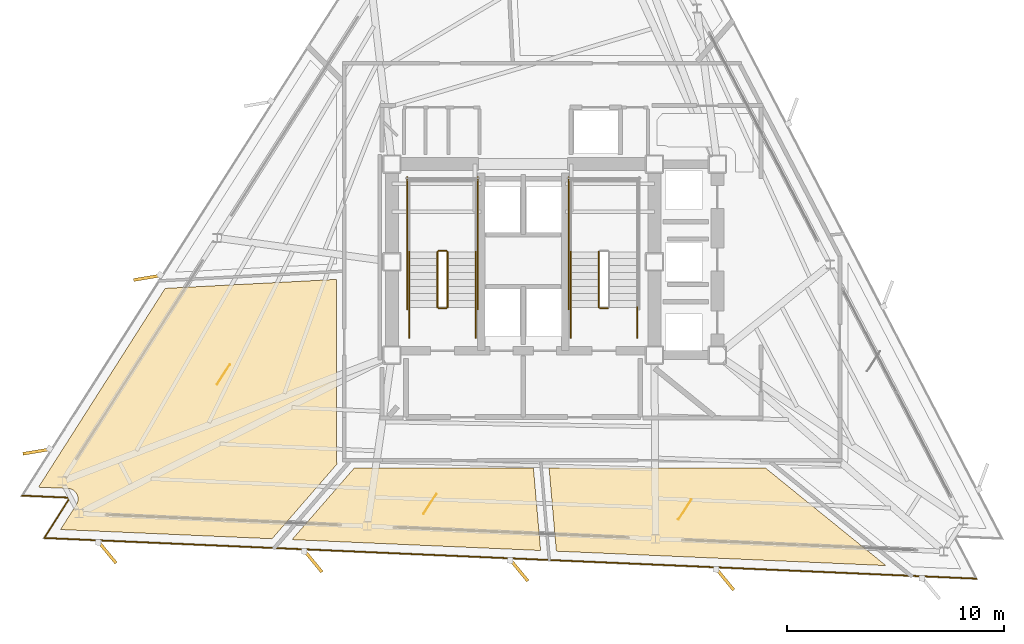
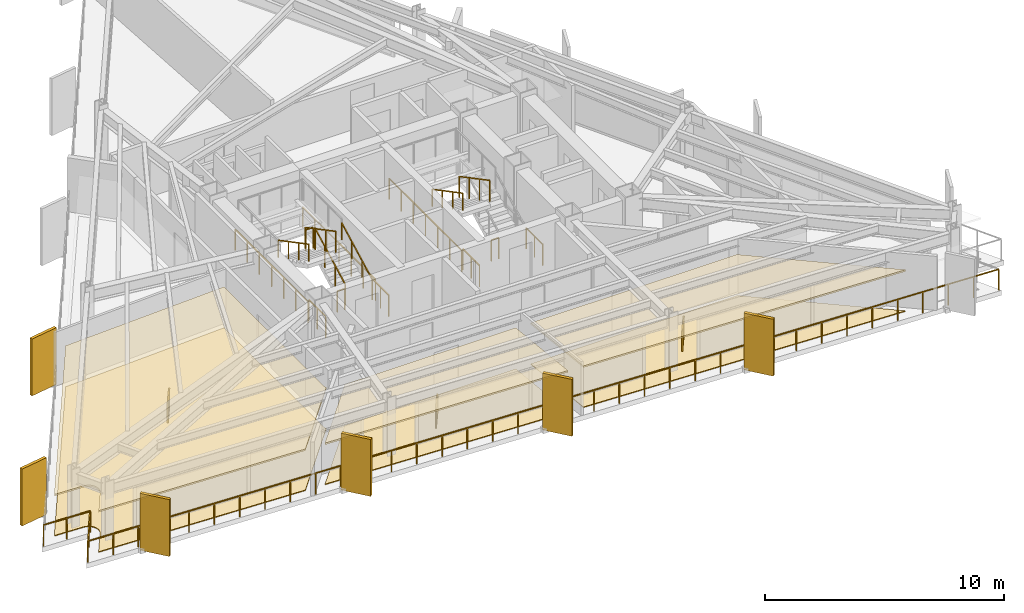
# One storey, part 10 of 12: 17 railings, 9 coverings, 6 shading devices.
"""IFC4 building model written with IfcOpenShell, lengths in metres."""

from ifc_helpers import new_model, si_unit, direction, frame, origin, origin_2d, place, context, subcontext, project, spatial, polyline, rectangle, outline, extrude, material, layer, layer_set, type_object, element, save


model = new_model("IFC4")

# Units and contexts
model_context = context("Model", 3, precision=1e-05, world=origin(), true_north=direction((0.0, 1.0)))
body_context = subcontext(model_context, "Body", "Model", "MODEL_VIEW")
ifc_project = project(units=[si_unit("LENGTHUNIT", "METRE"), si_unit("AREAUNIT", "SQUARE_METRE"), si_unit("VOLUMEUNIT", "CUBIC_METRE"), si_unit("PLANEANGLEUNIT", "RADIAN"), si_unit("MASSUNIT", "GRAM", prefix="KILO")], contexts=[model_context])

# Site, building, storey
site_placement = place(None, origin())
site = spatial("IfcSite", under=ifc_project, at=site_placement, CompositionType="ELEMENT")
building_placement = place(site_placement, origin())
building = spatial("IfcBuilding", under=site, at=building_placement, Name="Rocaltana Carrier Exchange", CompositionType="ELEMENT")
storey_placement = place(building_placement, frame((0.0, 0.0, 128.9599609375)))
storey = spatial("IfcBuildingStorey", under=building, at=storey_placement, Name="L40", CompositionType="ELEMENT", Elevation=128.9599609375)

# Coverings
ifc_material_1 = material(Name="Honed Bogota Sandstone Tile", Category="masonry")
ifc_layer_1 = layer(ifc_material_1, 0.0400390625)
ifc_layer_set_1 = layer_set([ifc_layer_1], Name="Honed Bogota Sandstone Tile")
covering_type_1 = type_object("IfcCoveringType", Name="Honed Stone Lobby Flooring 40", PredefinedType="FLOORING", material=ifc_layer_set_1)
covering_1_placement = place(storey_placement, origin())
element("IfcCovering", 1, at=covering_1_placement, inside=storey, type_object=covering_type_1, Name="L40 Carrier Peering Suite Finish Floor", PredefinedType="FLOORING", context=body_context, shape_type="SweptSolid", body=[
    extrude(outline(polyline([(-20.592041015625, -11.18798828125), (-20.584716796875, -11.176025390625), (-20.574951171875, -11.15869140625), (-20.562255859375, -11.1337890625), (-20.55419921875, -11.11572265625), (-20.544189453125, -11.089599609375), (-20.5380859375, -11.07080078125), (-20.530517578125, -11.043701171875), (-20.5263671875, -11.0244140625), (-20.521484375, -10.996826171875), (-20.519287109375, -10.97705078125), (-20.517333984375, -10.94921875), (-20.516845703125, -10.92919921875), (-20.517822265625, -10.9013671875), (-20.519287109375, -10.88134765625), (-20.523193359375, -10.853759765625), (-20.526611328125, -10.833984375), (-20.532958984375, -10.806884765625), (-20.53857421875, -10.787841796875), (-20.547607421875, -10.761474609375), (-20.554931640625, -10.742919921875), (-20.566650390625, -10.717529296875), (-20.575927734375, -10.69970703125), (-20.590087890625, -10.67578125), (-20.600830078125, -10.6591796875), (-20.6171875, -10.636474609375), (-20.6298828125, -10.62109375), (-20.6484375, -10.60009765625), (-20.66259765625, -10.5859375), (-20.68310546875, -10.567138671875), (-20.698486328125, -10.554443359375), (-20.720703125, -10.53759765625), (-20.7373046875, -10.526611328125), (-20.76123046875, -10.51220703125), (-20.77880859375, -10.502685546875), (-20.803955078125, -10.49072265625), (-20.822509765625, -10.483154296875), (-20.8486328125, -10.473876953125), (-20.867919921875, -10.468017578125), (-20.89501953125, -10.461181640625), (-20.91455078125, -10.45751953125), (-20.942138671875, -10.45361328125), (-20.9619140625, -10.45166015625), (-20.975830078125, -10.45068359375), (-22.34326171875, -10.39111328125), (-16.50390625, -1.225341796875), (-8.610107421875, -0.811767578125), (-8.610107421875, -9.14990234375), (-8.609619140625, -9.163818359375), (-8.609375, -9.171630859375), (-8.606689453125, -9.198974609375), (-8.60546875, -9.206787109375), (-8.60009765625, -9.233642578125), (-8.59814453125, -9.2412109375), (-8.590087890625, -9.267578125), (-8.58740234375, -9.27490234375), (-8.576904296875, -9.30029296875), (-8.57373046875, -9.307373046875), (-8.5712890625, -9.3115234375), (-11.576171875, -12.76806640625), (-21.327392578125, -12.34228515625), (-20.592041015625, -11.18798828125)])), origin(), (0.0, 0.0, 1.0), 0.0400390625),
])
covering_2_placement = place(storey_placement, origin())
element("IfcCovering", 2, at=covering_2_placement, inside=storey, type_object=covering_type_1, Name="L40 Carrier Peering Suite Finish Floor", PredefinedType="FLOORING", context=body_context, shape_type="SweptSolid", body=[
    extrude(outline(polyline([(-10.656982421875, -12.808349609375), (-7.789794921875, -9.510009765625), (0.470703125, -9.510009765625), (0.802978515625, -13.30859375), (-10.656982421875, -12.808349609375)])), origin(), (0.0, 0.0, 1.0), 0.0400390625),
])
covering_3_placement = place(storey_placement, origin())
element("IfcCovering", 3, at=covering_3_placement, inside=storey, type_object=covering_type_1, Name="L40 Cloud Architecture Office Finish Floor", PredefinedType="FLOORING", context=body_context, shape_type="SweptSolid", body=[
    extrude(outline(polyline([(1.528564453125, -13.34033203125), (1.193359375, -9.510009765625), (11.171875, -9.510009765625), (16.720947265625, -14.003662109375), (1.528564453125, -13.34033203125)])), origin(), (0.0, 0.0, 1.0), 0.0400390625),
])
ifc_material_2 = material(Name="Anodised Aluminium 6063-T6", Category="aluminium")
ifc_layer_2 = layer(ifc_material_2, 0.0849609375)
ifc_layer_set_2 = layer_set([ifc_layer_2], Name="Anodised Aluminium 6063-T6")
covering_type_2 = type_object("IfcCoveringType", Name="Linear Baffle Acoustic Ceiling 85", PredefinedType="CEILING", material=ifc_layer_set_2)
covering_4_placement = place(storey_placement, frame((0.0, 0.0, 2.052978515625)))
element("IfcCovering", 4, at=covering_4_placement, inside=storey, type_object=covering_type_2, Name="L40 Carrier Peering Suite Acoustic Ceiling", PredefinedType="CEILING", context=body_context, shape_type="SweptSolid", body=[
    extrude(outline(polyline([(-20.592041015625, -11.18798828125), (-20.584716796875, -11.176025390625), (-20.574951171875, -11.15869140625), (-20.562255859375, -11.1337890625), (-20.55419921875, -11.11572265625), (-20.544189453125, -11.089599609375), (-20.5380859375, -11.07080078125), (-20.530517578125, -11.043701171875), (-20.5263671875, -11.0244140625), (-20.521484375, -10.996826171875), (-20.519287109375, -10.97705078125), (-20.517333984375, -10.94921875), (-20.516845703125, -10.92919921875), (-20.517822265625, -10.9013671875), (-20.519287109375, -10.88134765625), (-20.523193359375, -10.853759765625), (-20.526611328125, -10.833984375), (-20.532958984375, -10.806884765625), (-20.53857421875, -10.787841796875), (-20.547607421875, -10.761474609375), (-20.554931640625, -10.742919921875), (-20.566650390625, -10.717529296875), (-20.575927734375, -10.69970703125), (-20.590087890625, -10.67578125), (-20.600830078125, -10.6591796875), (-20.6171875, -10.636474609375), (-20.6298828125, -10.62109375), (-20.6484375, -10.60009765625), (-20.66259765625, -10.5859375), (-20.68310546875, -10.567138671875), (-20.698486328125, -10.554443359375), (-20.720703125, -10.53759765625), (-20.7373046875, -10.526611328125), (-20.76123046875, -10.51220703125), (-20.77880859375, -10.502685546875), (-20.803955078125, -10.49072265625), (-20.822509765625, -10.483154296875), (-20.8486328125, -10.473876953125), (-20.867919921875, -10.468017578125), (-20.89501953125, -10.461181640625), (-20.91455078125, -10.45751953125), (-20.942138671875, -10.45361328125), (-20.9619140625, -10.45166015625), (-20.975830078125, -10.45068359375), (-22.34326171875, -10.39111328125), (-16.50390625, -1.225341796875), (-8.610107421875, -0.811767578125), (-8.610107421875, -9.14990234375), (-8.609619140625, -9.163818359375), (-8.609375, -9.171630859375), (-8.606689453125, -9.198974609375), (-8.60546875, -9.206787109375), (-8.60009765625, -9.233642578125), (-8.59814453125, -9.2412109375), (-8.590087890625, -9.267578125), (-8.58740234375, -9.27490234375), (-8.576904296875, -9.30029296875), (-8.57373046875, -9.307373046875), (-8.5712890625, -9.3115234375), (-11.576171875, -12.76806640625), (-21.327392578125, -12.34228515625), (-20.592041015625, -11.18798828125)])), origin(), (0.0, 0.0, 1.0), 0.0849609375),
])
covering_5_placement = place(storey_placement, frame((0.0, 0.0, 2.052978515625)))
element("IfcCovering", 5, at=covering_5_placement, inside=storey, type_object=covering_type_2, Name="L40 Carrier Peering Suite Acoustic Ceiling", PredefinedType="CEILING", context=body_context, shape_type="SweptSolid", body=[
    extrude(outline(polyline([(-10.656982421875, -12.808349609375), (-7.789794921875, -9.510009765625), (0.470703125, -9.510009765625), (0.802978515625, -13.30859375), (-10.656982421875, -12.808349609375)])), origin(), (0.0, 0.0, 1.0), 0.0849609375),
])
covering_6_placement = place(storey_placement, frame((0.0, 0.0, 2.052978515625)))
element("IfcCovering", 6, at=covering_6_placement, inside=storey, type_object=covering_type_2, Name="L40 Cloud Architecture Office Acoustic Ceiling", PredefinedType="CEILING", context=body_context, shape_type="SweptSolid", body=[
    extrude(outline(polyline([(1.528564453125, -13.34033203125), (1.193359375, -9.510009765625), (11.171875, -9.510009765625), (16.720947265625, -14.003662109375), (1.528564453125, -13.34033203125)])), origin(), (0.0, 0.0, 1.0), 0.0849609375),
])

# Railings
ifc_material_3 = material(Name="Brushed Architectural Stainless Tube", Category="steel")
ifc_layer_3 = layer(ifc_material_3, 0.048095703125)
ifc_layer_set_3 = layer_set([ifc_layer_3], Name="Brushed Architectural Stainless Tube")
railing_type_1 = type_object("IfcRailingType", Name="Stair Wall Handrail 920", PredefinedType="HANDRAIL", material=ifc_layer_set_3)
railing_1_placement = place(storey_placement, frame((-2.18994140625, -2.10009765625, 0.1689453125)))
element("IfcRailing", 7, at=railing_1_placement, inside=storey, type_object=railing_type_1, Name="L40 ST-1 stair handrail 1", PredefinedType="HANDRAIL", context=body_context, shape_type="SweptSolid", body=[
    extrude(rectangle(XDim=0.048095703125, YDim=0.048095703125, at=origin_2d()), frame((0.0, 0.0, 0.8759765625), z_axis=(0.0, 0.884394423565, 0.466740295633), x_axis=(-1.0, 0.0, 0.0)), (0.0, 0.0, 1.0), 2.894775390625),
    extrude(rectangle(XDim=0.0419921875, YDim=0.0419921875, at=origin_2d()), origin(), (0.0, 0.0, 1.0), 0.851806640625),
    extrude(rectangle(XDim=0.0419921875, YDim=0.0419921875, at=origin_2d()), frame((0.0, 0.853271484375, 0.450439453125)), (0.0, 0.0, 1.0), 0.851806640625),
    extrude(rectangle(XDim=0.0419921875, YDim=0.0419921875, at=origin_2d()), frame((0.0, 1.706787109375, 0.900634765625)), (0.0, 0.0, 1.0), 0.851806640625),
    extrude(rectangle(XDim=0.0419921875, YDim=0.0419921875, at=origin_2d()), frame((0.0, 2.56005859375, 1.35107421875)), (0.0, 0.0, 1.0), 0.851806640625),
])
for number, where, name in (
    (8, (-5.25, 0.4599609375, 1.68896484375), "L40 ST-1 stair handrail 2"),
    (9, (2.18994140625, 0.4599609375, 1.68896484375), "L40 ST-2 stair handrail 2"),
):
    element("IfcRailing", number, at=place(storey_placement, frame(where)), inside=storey, type_object=railing_type_1, Name=name, PredefinedType="HANDRAIL", context=body_context, shape_type="SweptSolid", body=[
        extrude(rectangle(XDim=0.048095703125, YDim=0.048095703125, at=origin_2d()), frame((0.0, 0.0, 0.8759765625), z_axis=(0.0, -0.884394423565, 0.466740295633), x_axis=(1.0, 0.0, 0.0)), (0.0, 0.0, 1.0), 2.894775390625),
        extrude(rectangle(XDim=0.0419921875, YDim=0.0419921875, at=origin_2d()), origin(), (0.0, 0.0, 1.0), 0.851806640625),
        extrude(rectangle(XDim=0.0419921875, YDim=0.0419921875, at=origin_2d()), frame((0.0, -0.853271484375, 0.450439453125)), (0.0, 0.0, 1.0), 0.851806640625),
        extrude(rectangle(XDim=0.0419921875, YDim=0.0419921875, at=origin_2d()), frame((0.0, -1.706787109375, 0.900634765625)), (0.0, 0.0, 1.0), 0.851806640625),
        extrude(rectangle(XDim=0.0419921875, YDim=0.0419921875, at=origin_2d()), frame((0.0, -2.56005859375, 1.35107421875)), (0.0, 0.0, 1.0), 0.851806640625),
    ])
ifc_material_4 = material(Name="Powder-Coated Aluminium 6063-T6", Category="aluminium")
ifc_layer_4 = layer(ifc_material_4, 0.048095703125)
ifc_layer_set_4 = layer_set([ifc_layer_4], Name="Powder-Coated Aluminium 6063-T6")
railing_type_2 = type_object("IfcRailingType", Name="Stair Well Guardrail 1100", PredefinedType="GUARDRAIL", material=ifc_layer_set_4)
railing_2_placement = place(storey_placement, frame((-3.489990234375, -2.10009765625, 0.1689453125)))
element("IfcRailing", 10, at=railing_2_placement, inside=storey, type_object=railing_type_2, Name="L40 ST-1 stair guard 1", PredefinedType="GUARDRAIL", context=body_context, shape_type="SweptSolid", body=[
    extrude(rectangle(XDim=0.048095703125, YDim=0.048095703125, at=origin_2d()), frame((0.0, 0.0, 1.076171875), z_axis=(0.0, 0.884394423565, 0.466740295633), x_axis=(-1.0, 0.0, 0.0)), (0.0, 0.0, 1.0), 2.894775390625),
    extrude(rectangle(XDim=0.0419921875, YDim=0.0419921875, at=origin_2d()), origin(), (0.0, 0.0, 1.0), 1.052001953125),
    extrude(rectangle(XDim=0.0419921875, YDim=0.0419921875, at=origin_2d()), frame((0.0, 0.853271484375, 0.450439453125)), (0.0, 0.0, 1.0), 1.052001953125),
    extrude(rectangle(XDim=0.0419921875, YDim=0.0419921875, at=origin_2d()), frame((0.0, 1.706787109375, 0.900634765625)), (0.0, 0.0, 1.0), 1.052001953125),
    extrude(rectangle(XDim=0.0419921875, YDim=0.0419921875, at=origin_2d()), frame((0.0, 2.56005859375, 1.35107421875)), (0.0, 0.0, 1.0), 1.052001953125),
])
railing_3_placement = place(storey_placement, frame((-3.5400390625, 0.510009765625, 1.52001953125)))
element("IfcRailing", 11, at=railing_3_placement, inside=storey, type_object=railing_type_2, Name="L40 ST-1 stair guard 2", PredefinedType="GUARDRAIL", context=body_context, shape_type="SweptSolid", body=[
    extrude(rectangle(XDim=0.048095703125, YDim=0.048095703125, at=origin_2d()), frame((0.0, 0.0, 1.076171875), z_axis=(-1.0, 0.0, 0.0), x_axis=(0.0, -1.0, 0.0)), (0.0, 0.0, 1.0), 0.35986328125),
    extrude(rectangle(XDim=0.0419921875, YDim=0.0419921875, at=origin_2d()), origin(), (0.0, 0.0, 1.0), 1.052001953125),
    extrude(rectangle(XDim=0.0419921875, YDim=0.0419921875, at=origin_2d()), frame((-0.35986328125, 0.0, 0.0)), (0.0, 0.0, 1.0), 1.052001953125),
])
railing_4_placement = place(storey_placement, frame((-3.949951171875, 0.4599609375, 1.68896484375)))
element("IfcRailing", 12, at=railing_4_placement, inside=storey, type_object=railing_type_2, Name="L40 ST-1 stair guard 6", PredefinedType="GUARDRAIL", context=body_context, shape_type="SweptSolid", body=[
    extrude(rectangle(XDim=0.048095703125, YDim=0.048095703125, at=origin_2d()), frame((0.0, 0.0, 1.076171875), z_axis=(0.0, -0.884394423565, 0.466740295633), x_axis=(1.0, 0.0, 0.0)), (0.0, 0.0, 1.0), 2.894775390625),
    extrude(rectangle(XDim=0.0419921875, YDim=0.0419921875, at=origin_2d()), origin(), (0.0, 0.0, 1.0), 1.052001953125),
    extrude(rectangle(XDim=0.0419921875, YDim=0.0419921875, at=origin_2d()), frame((0.0, -0.853271484375, 0.450439453125)), (0.0, 0.0, 1.0), 1.052001953125),
    extrude(rectangle(XDim=0.0419921875, YDim=0.0419921875, at=origin_2d()), frame((0.0, -1.706787109375, 0.900634765625)), (0.0, 0.0, 1.0), 1.052001953125),
    extrude(rectangle(XDim=0.0419921875, YDim=0.0419921875, at=origin_2d()), frame((0.0, -2.56005859375, 1.35107421875)), (0.0, 0.0, 1.0), 1.052001953125),
])
railing_5_placement = place(storey_placement, frame((-3.5400390625, -2.14990234375, 0.0)))
element("IfcRailing", 13, at=railing_5_placement, inside=storey, type_object=railing_type_2, Name="L40 ST-1 stair guard 7", PredefinedType="GUARDRAIL", context=body_context, shape_type="SweptSolid", body=[
    extrude(rectangle(XDim=0.048095703125, YDim=0.048095703125, at=origin_2d()), frame((0.0, 0.0, 1.076171875), z_axis=(-1.0, 0.0, 0.0), x_axis=(0.0, -1.0, 0.0)), (0.0, 0.0, 1.0), 0.35986328125),
    extrude(rectangle(XDim=0.0419921875, YDim=0.0419921875, at=origin_2d()), origin(), (0.0, 0.0, 1.0), 1.052001953125),
    extrude(rectangle(XDim=0.0419921875, YDim=0.0419921875, at=origin_2d()), frame((-0.35986328125, 0.0, 0.0)), (0.0, 0.0, 1.0), 1.052001953125),
])
for number, where, name in (
    (14, (-2.18994140625, -3.5, 0.0), "L40 ST-1 stair guard 8"),
    (15, (-5.25, -3.5, 0.0), "L40 ST-1 stair guard 9"),
):
    element("IfcRailing", number, at=place(storey_placement, frame(where)), inside=storey, type_object=railing_type_2, Name=name, PredefinedType="GUARDRAIL", context=body_context, shape_type="SweptSolid", body=[
        extrude(rectangle(XDim=0.048095703125, YDim=0.048095703125, at=origin_2d()), frame((0.0, 0.0, 1.076171875), z_axis=(0.0, 1.0, 0.0), x_axis=(-1.0, 0.0, 0.0)), (0.0, 0.0, 1.0), 1.39990234375),
        extrude(rectangle(XDim=0.0419921875, YDim=0.0419921875, at=origin_2d()), origin(), (0.0, 0.0, 1.0), 1.052001953125),
        extrude(rectangle(XDim=0.0419921875, YDim=0.0419921875, at=origin_2d()), frame((0.0, 0.699951171875, 0.0)), (0.0, 0.0, 1.0), 1.052001953125),
        extrude(rectangle(XDim=0.0419921875, YDim=0.0419921875, at=origin_2d()), frame((0.0, 1.39990234375, 0.0)), (0.0, 0.0, 1.0), 1.052001953125),
    ])
for number, where, name in (
    (16, (-2.090087890625, -2.199951171875, 0.0), "L40 ST-1 stair guard 10"),
    (17, (-5.35009765625, -2.199951171875, 0.0), "L40 ST-1 stair guard 11"),
):
    element("IfcRailing", number, at=place(storey_placement, frame(where)), inside=storey, type_object=railing_type_2, Name=name, PredefinedType="GUARDRAIL", context=body_context, shape_type="SweptSolid", body=[
        extrude(rectangle(XDim=0.048095703125, YDim=0.048095703125, at=origin_2d()), frame((0.0, 0.0, 1.076171875), z_axis=(0.0, 1.0, 0.0), x_axis=(-1.0, 0.0, 0.0)), (0.0, 0.0, 1.0), 6.099853515625),
        extrude(rectangle(XDim=0.0419921875, YDim=0.0419921875, at=origin_2d()), origin(), (0.0, 0.0, 1.0), 1.052001953125),
        extrude(rectangle(XDim=0.0419921875, YDim=0.0419921875, at=origin_2d()), frame((0.0, 1.0166015625, 0.0)), (0.0, 0.0, 1.0), 1.052001953125),
        extrude(rectangle(XDim=0.0419921875, YDim=0.0419921875, at=origin_2d()), frame((0.0, 2.033203125, 0.0)), (0.0, 0.0, 1.0), 1.052001953125),
        extrude(rectangle(XDim=0.0419921875, YDim=0.0419921875, at=origin_2d()), frame((0.0, 3.0498046875, 0.0)), (0.0, 0.0, 1.0), 1.052001953125),
        extrude(rectangle(XDim=0.0419921875, YDim=0.0419921875, at=origin_2d()), frame((0.0, 4.066650390625, 0.0)), (0.0, 0.0, 1.0), 1.052001953125),
        extrude(rectangle(XDim=0.0419921875, YDim=0.0419921875, at=origin_2d()), frame((0.0, 5.083251953125, 0.0)), (0.0, 0.0, 1.0), 1.052001953125),
        extrude(rectangle(XDim=0.0419921875, YDim=0.0419921875, at=origin_2d()), frame((0.0, 6.099853515625, 0.0)), (0.0, 0.0, 1.0), 1.052001953125),
    ])
railing_6_placement = place(storey_placement, frame((3.489990234375, 0.4599609375, 1.68896484375)))
element("IfcRailing", 18, at=railing_6_placement, inside=storey, type_object=railing_type_2, Name="L40 ST-2 stair guard 6", PredefinedType="GUARDRAIL", context=body_context, shape_type="SweptSolid", body=[
    extrude(rectangle(XDim=0.048095703125, YDim=0.048095703125, at=origin_2d()), frame((0.0, 0.0, 1.076171875), z_axis=(0.0, -0.884394423565, 0.466740295633), x_axis=(1.0, 0.0, 0.0)), (0.0, 0.0, 1.0), 2.894775390625),
    extrude(rectangle(XDim=0.0419921875, YDim=0.0419921875, at=origin_2d()), origin(), (0.0, 0.0, 1.0), 1.052001953125),
    extrude(rectangle(XDim=0.0419921875, YDim=0.0419921875, at=origin_2d()), frame((0.0, -0.853271484375, 0.450439453125)), (0.0, 0.0, 1.0), 1.052001953125),
    extrude(rectangle(XDim=0.0419921875, YDim=0.0419921875, at=origin_2d()), frame((0.0, -1.706787109375, 0.900634765625)), (0.0, 0.0, 1.0), 1.052001953125),
    extrude(rectangle(XDim=0.0419921875, YDim=0.0419921875, at=origin_2d()), frame((0.0, -2.56005859375, 1.35107421875)), (0.0, 0.0, 1.0), 1.052001953125),
])
railing_7_placement = place(storey_placement, frame((3.89990234375, -2.14990234375, 0.0)))
element("IfcRailing", 19, at=railing_7_placement, inside=storey, type_object=railing_type_2, Name="L40 ST-2 stair guard 7", PredefinedType="GUARDRAIL", context=body_context, shape_type="SweptSolid", body=[
    extrude(rectangle(XDim=0.048095703125, YDim=0.048095703125, at=origin_2d()), frame((0.0, 0.0, 1.076171875), z_axis=(-1.0, 0.0, 0.0), x_axis=(0.0, -1.0, 0.0)), (0.0, 0.0, 1.0), 0.35986328125),
    extrude(rectangle(XDim=0.0419921875, YDim=0.0419921875, at=origin_2d()), origin(), (0.0, 0.0, 1.0), 1.052001953125),
    extrude(rectangle(XDim=0.0419921875, YDim=0.0419921875, at=origin_2d()), frame((-0.35986328125, 0.0, 0.0)), (0.0, 0.0, 1.0), 1.052001953125),
])
for number, where, name in (
    (20, (5.25, -3.5, 0.0), "L40 ST-2 stair guard 8"),
    (21, (2.18994140625, -3.5, 0.0), "L40 ST-2 stair guard 9"),
):
    element("IfcRailing", number, at=place(storey_placement, frame(where)), inside=storey, type_object=railing_type_2, Name=name, PredefinedType="GUARDRAIL", context=body_context, shape_type="SweptSolid", body=[
        extrude(rectangle(XDim=0.048095703125, YDim=0.048095703125, at=origin_2d()), frame((0.0, 0.0, 1.076171875), z_axis=(0.0, 1.0, 0.0), x_axis=(-1.0, 0.0, 0.0)), (0.0, 0.0, 1.0), 1.39990234375),
        extrude(rectangle(XDim=0.0419921875, YDim=0.0419921875, at=origin_2d()), origin(), (0.0, 0.0, 1.0), 1.052001953125),
        extrude(rectangle(XDim=0.0419921875, YDim=0.0419921875, at=origin_2d()), frame((0.0, 0.699951171875, 0.0)), (0.0, 0.0, 1.0), 1.052001953125),
        extrude(rectangle(XDim=0.0419921875, YDim=0.0419921875, at=origin_2d()), frame((0.0, 1.39990234375, 0.0)), (0.0, 0.0, 1.0), 1.052001953125),
    ])
railing_8_placement = place(storey_placement, frame((2.090087890625, -2.199951171875, 0.0)))
element("IfcRailing", 22, at=railing_8_placement, inside=storey, type_object=railing_type_2, Name="L40 ST-2 stair guard 11", PredefinedType="GUARDRAIL", context=body_context, shape_type="SweptSolid", body=[
    extrude(rectangle(XDim=0.048095703125, YDim=0.048095703125, at=origin_2d()), frame((0.0, 0.0, 1.076171875), z_axis=(0.0, 1.0, 0.0), x_axis=(-1.0, 0.0, 0.0)), (0.0, 0.0, 1.0), 6.099853515625),
    extrude(rectangle(XDim=0.0419921875, YDim=0.0419921875, at=origin_2d()), origin(), (0.0, 0.0, 1.0), 1.052001953125),
    extrude(rectangle(XDim=0.0419921875, YDim=0.0419921875, at=origin_2d()), frame((0.0, 1.0166015625, 0.0)), (0.0, 0.0, 1.0), 1.052001953125),
    extrude(rectangle(XDim=0.0419921875, YDim=0.0419921875, at=origin_2d()), frame((0.0, 2.033203125, 0.0)), (0.0, 0.0, 1.0), 1.052001953125),
    extrude(rectangle(XDim=0.0419921875, YDim=0.0419921875, at=origin_2d()), frame((0.0, 3.0498046875, 0.0)), (0.0, 0.0, 1.0), 1.052001953125),
    extrude(rectangle(XDim=0.0419921875, YDim=0.0419921875, at=origin_2d()), frame((0.0, 4.066650390625, 0.0)), (0.0, 0.0, 1.0), 1.052001953125),
    extrude(rectangle(XDim=0.0419921875, YDim=0.0419921875, at=origin_2d()), frame((0.0, 5.083251953125, 0.0)), (0.0, 0.0, 1.0), 1.052001953125),
    extrude(rectangle(XDim=0.0419921875, YDim=0.0419921875, at=origin_2d()), frame((0.0, 6.099853515625, 0.0)), (0.0, 0.0, 1.0), 1.052001953125),
])

# Coverings
ifc_material_5 = material(Name="Honed Piedra Muneca Sandstone", Category="masonry")
ifc_layer_5 = layer(ifc_material_5, 0.034912109375)
ifc_layer_set_5 = layer_set([ifc_layer_5], Name="Honed Piedra Muneca Sandstone")
covering_type_3 = type_object("IfcCoveringType", Name="Stone Facade Cladding 35", PredefinedType="CLADDING", material=ifc_layer_set_5)
for number, where, z_axis, x_axis, name in (
    (23, (-13.819091796875, -5.187744140625, 0.0), (0.0, 0.0, 1.0), (0.544639035015, 0.838670567945, 0.0), "L40 Stone Facade Cladding Panel 1"),
    (24, (-4.30419921875, -11.1591796875, 0.0), (0.0, 0.0, 1.0), (0.544639035015, 0.838670567945, 0.0), "L40 Stone Facade Cladding Panel 2"),
    (25, (7.448974609375, -11.425048828125, 0.0), (0.0, 0.0, 1.0), (0.544639035015, 0.838670567945, 0.0), "L40 Stone Facade Cladding Panel 3"),
):
    element("IfcCovering", number, at=place(storey_placement, frame(where, z_axis=z_axis, x_axis=x_axis)), inside=storey, type_object=covering_type_3, Name=name, PredefinedType="CLADDING", context=body_context, shape_type="SweptSolid", body=[
        extrude(rectangle(XDim=1.10009765625, YDim=0.034912109375, at=origin_2d()), origin(), (0.0, 0.0, 1.0), 1.050048828125),
    ])

# Shading devices
ifc_material_6 = material(Name="Honed Bogota Sandstone & Concrete C45/55", Category="masonry")
ifc_layer_6 = layer(ifc_material_6, 0.139892578125)
ifc_layer_set_6 = layer_set([ifc_layer_6], Name="Honed Bogota Sandstone & Concrete C45/55")
shading_device_type = type_object("IfcShadingDeviceType", Name="Vertical Sandstone Shading Fin 1320x140", PredefinedType="USERDEFINED", material=ifc_layer_set_6)
for number, where, z_axis, x_axis, name in (
    (26, (-17.3046875, -0.7314453125, -0.1201171875), (0.0, 0.0, 1.0), (-0.986285601537, -0.165047605861, 0.0), "L40 Sandstone Vertical Fin F2-04"),
    (27, (-22.4091796875, -8.743896484375, -0.1201171875), (0.0, 0.0, 1.0), (-0.986285601537, -0.165047605861, 0.0), "L40 Sandstone Vertical Fin F2-05"),
    (28, (-19.18701171875, -13.37744140625, -0.1201171875), (0.0, 0.0, 1.0), (0.636078220278, -0.771624583388, 0.0), "L40 Sandstone Vertical Fin F3-01"),
    (29, (-9.696044921875, -13.7919921875, -0.1201171875), (0.0, 0.0, 1.0), (0.636078220278, -0.771624583388, 0.0), "L40 Sandstone Vertical Fin F3-02"),
    (30, (-0.205078125, -14.206298828125, -0.1201171875), (0.0, 0.0, 1.0), (0.636078220278, -0.771624583388, 0.0), "L40 Sandstone Vertical Fin F3-03"),
    (31, (9.285888671875, -14.62060546875, -0.1201171875), (0.0, 0.0, 1.0), (0.636078220278, -0.771624583388, 0.0), "L40 Sandstone Vertical Fin F3-04"),
):
    element("IfcShadingDevice", number, at=place(storey_placement, frame(where, z_axis=z_axis, x_axis=x_axis)), inside=storey, type_object=shading_device_type, Name=name, ObjectType="FIN", PredefinedType="USERDEFINED", context=body_context, shape_type="SweptSolid", body=[
        extrude(rectangle(XDim=1.320068359375, YDim=0.139892578125, at=origin_2d()), origin(), (0.0, 0.0, 1.0), 2.907958984375),
    ])

# Railing
ifc_material_7 = material(Name="Powder-Coated Aluminium 6063-T6", Category="aluminium")
ifc_layer_7 = layer(ifc_material_7, 0.06005859375)
ifc_layer_set_7 = layer_set([ifc_layer_7], Name="Powder-Coated Aluminium 6063-T6")
railing_type_3 = type_object("IfcRailingType", Name="Wind-Floor & Terrace Perimeter Guardrail 1100", PredefinedType="GUARDRAIL", material=ifc_layer_set_7)
railing_9_placement = place(storey_placement, frame((20.87890625, -14.60546875, 0.0)))
element("IfcRailing", 32, at=railing_9_placement, inside=storey, type_object=railing_type_3, Name="L40 Perimeter Balcony Guardrail 1", PredefinedType="GUARDRAIL", context=body_context, shape_type="SweptSolid", body=[
    extrude(rectangle(XDim=0.048095703125, YDim=0.048095703125, at=origin_2d()), frame((0.0, 0.0, 1.076171875), z_axis=(-0.999048277514, 0.043618106279, 0.0), x_axis=(-0.043618106279, -0.999048277514, 0.0)), (0.0, 0.0, 1.0), 42.992431640625),
    extrude(rectangle(XDim=0.048095703125, YDim=0.048095703125, at=origin_2d()), frame((-42.951416015625, 1.875244140625, 1.076171875), z_axis=(0.537320606179, 0.843378068351, 0.0), x_axis=(-0.843378068351, 0.537320606179, 0.0)), (0.0, 0.0, 1.0), 2.199951171875),
    extrude(rectangle(XDim=0.048095703125, YDim=0.048095703125, at=origin_2d()), frame((-41.769287109375, 3.730712890625, 1.076171875), z_axis=(-0.999048605837, 0.043610585593, 0.0), x_axis=(-0.043610585593, -0.999048605837, 0.0)), (0.0, 0.0, 1.0), 2.2001953125),
    extrude(rectangle(XDim=0.0419921875, YDim=0.0419921875, at=origin_2d()), origin(), (0.0, 0.0, 1.0), 1.052001953125),
    extrude(rectangle(XDim=0.0419921875, YDim=0.0419921875, at=origin_2d()), frame((-1.193115234375, 0.052001953125, 0.0)), (0.0, 0.0, 1.0), 1.052001953125),
    extrude(rectangle(XDim=0.0419921875, YDim=0.0419921875, at=origin_2d()), frame((-2.38623046875, 0.104248046875, 0.0)), (0.0, 0.0, 1.0), 1.052001953125),
    extrude(rectangle(XDim=0.0419921875, YDim=0.0419921875, at=origin_2d()), frame((-3.579345703125, 0.15625, 0.0)), (0.0, 0.0, 1.0), 1.052001953125),
    extrude(rectangle(XDim=0.0419921875, YDim=0.0419921875, at=origin_2d()), frame((-4.7724609375, 0.208251953125, 0.0)), (0.0, 0.0, 1.0), 1.052001953125),
    extrude(rectangle(XDim=0.0419921875, YDim=0.0419921875, at=origin_2d()), frame((-5.965576171875, 0.260498046875, 0.0)), (0.0, 0.0, 1.0), 1.052001953125),
    extrude(rectangle(XDim=0.0419921875, YDim=0.0419921875, at=origin_2d()), frame((-7.15869140625, 0.3125, 0.0)), (0.0, 0.0, 1.0), 1.052001953125),
    extrude(rectangle(XDim=0.0419921875, YDim=0.0419921875, at=origin_2d()), frame((-8.3515625, 0.36474609375, 0.0)), (0.0, 0.0, 1.0), 1.052001953125),
    extrude(rectangle(XDim=0.0419921875, YDim=0.0419921875, at=origin_2d()), frame((-9.544677734375, 0.416748046875, 0.0)), (0.0, 0.0, 1.0), 1.052001953125),
    extrude(rectangle(XDim=0.0419921875, YDim=0.0419921875, at=origin_2d()), frame((-10.73779296875, 0.46875, 0.0)), (0.0, 0.0, 1.0), 1.052001953125),
    extrude(rectangle(XDim=0.0419921875, YDim=0.0419921875, at=origin_2d()), frame((-11.930908203125, 0.52099609375, 0.0)), (0.0, 0.0, 1.0), 1.052001953125),
    extrude(rectangle(XDim=0.0419921875, YDim=0.0419921875, at=origin_2d()), frame((-13.1240234375, 0.572998046875, 0.0)), (0.0, 0.0, 1.0), 1.052001953125),
    extrude(rectangle(XDim=0.0419921875, YDim=0.0419921875, at=origin_2d()), frame((-14.317138671875, 0.625, 0.0)), (0.0, 0.0, 1.0), 1.052001953125),
    extrude(rectangle(XDim=0.0419921875, YDim=0.0419921875, at=origin_2d()), frame((-15.51025390625, 0.67724609375, 0.0)), (0.0, 0.0, 1.0), 1.052001953125),
    extrude(rectangle(XDim=0.0419921875, YDim=0.0419921875, at=origin_2d()), frame((-16.703369140625, 0.729248046875, 0.0)), (0.0, 0.0, 1.0), 1.052001953125),
    extrude(rectangle(XDim=0.0419921875, YDim=0.0419921875, at=origin_2d()), frame((-17.896484375, 0.78125, 0.0)), (0.0, 0.0, 1.0), 1.052001953125),
    extrude(rectangle(XDim=0.0419921875, YDim=0.0419921875, at=origin_2d()), frame((-19.089599609375, 0.83349609375, 0.0)), (0.0, 0.0, 1.0), 1.052001953125),
    extrude(rectangle(XDim=0.0419921875, YDim=0.0419921875, at=origin_2d()), frame((-20.28271484375, 0.885498046875, 0.0)), (0.0, 0.0, 1.0), 1.052001953125),
    extrude(rectangle(XDim=0.0419921875, YDim=0.0419921875, at=origin_2d()), frame((-21.4755859375, 0.9375, 0.0)), (0.0, 0.0, 1.0), 1.052001953125),
    extrude(rectangle(XDim=0.0419921875, YDim=0.0419921875, at=origin_2d()), frame((-22.668701171875, 0.98974609375, 0.0)), (0.0, 0.0, 1.0), 1.052001953125),
    extrude(rectangle(XDim=0.0419921875, YDim=0.0419921875, at=origin_2d()), frame((-23.86181640625, 1.041748046875, 0.0)), (0.0, 0.0, 1.0), 1.052001953125),
    extrude(rectangle(XDim=0.0419921875, YDim=0.0419921875, at=origin_2d()), frame((-25.054931640625, 1.093994140625, 0.0)), (0.0, 0.0, 1.0), 1.052001953125),
    extrude(rectangle(XDim=0.0419921875, YDim=0.0419921875, at=origin_2d()), frame((-26.248046875, 1.14599609375, 0.0)), (0.0, 0.0, 1.0), 1.052001953125),
    extrude(rectangle(XDim=0.0419921875, YDim=0.0419921875, at=origin_2d()), frame((-27.441162109375, 1.197998046875, 0.0)), (0.0, 0.0, 1.0), 1.052001953125),
    extrude(rectangle(XDim=0.0419921875, YDim=0.0419921875, at=origin_2d()), frame((-28.63427734375, 1.250244140625, 0.0)), (0.0, 0.0, 1.0), 1.052001953125),
    extrude(rectangle(XDim=0.0419921875, YDim=0.0419921875, at=origin_2d()), frame((-29.827392578125, 1.30224609375, 0.0)), (0.0, 0.0, 1.0), 1.052001953125),
    extrude(rectangle(XDim=0.0419921875, YDim=0.0419921875, at=origin_2d()), frame((-31.0205078125, 1.354248046875, 0.0)), (0.0, 0.0, 1.0), 1.052001953125),
    extrude(rectangle(XDim=0.0419921875, YDim=0.0419921875, at=origin_2d()), frame((-32.213623046875, 1.406494140625, 0.0)), (0.0, 0.0, 1.0), 1.052001953125),
    extrude(rectangle(XDim=0.0419921875, YDim=0.0419921875, at=origin_2d()), frame((-33.40673828125, 1.45849609375, 0.0)), (0.0, 0.0, 1.0), 1.052001953125),
    extrude(rectangle(XDim=0.0419921875, YDim=0.0419921875, at=origin_2d()), frame((-34.599853515625, 1.510498046875, 0.0)), (0.0, 0.0, 1.0), 1.052001953125),
    extrude(rectangle(XDim=0.0419921875, YDim=0.0419921875, at=origin_2d()), frame((-35.79296875, 1.562744140625, 0.0)), (0.0, 0.0, 1.0), 1.052001953125),
    extrude(rectangle(XDim=0.0419921875, YDim=0.0419921875, at=origin_2d()), frame((-36.98583984375, 1.61474609375, 0.0)), (0.0, 0.0, 1.0), 1.052001953125),
    extrude(rectangle(XDim=0.0419921875, YDim=0.0419921875, at=origin_2d()), frame((-38.178955078125, 1.6669921875, 0.0)), (0.0, 0.0, 1.0), 1.052001953125),
    extrude(rectangle(XDim=0.0419921875, YDim=0.0419921875, at=origin_2d()), frame((-39.3720703125, 1.718994140625, 0.0)), (0.0, 0.0, 1.0), 1.052001953125),
    extrude(rectangle(XDim=0.0419921875, YDim=0.0419921875, at=origin_2d()), frame((-40.565185546875, 1.77099609375, 0.0)), (0.0, 0.0, 1.0), 1.052001953125),
    extrude(rectangle(XDim=0.0419921875, YDim=0.0419921875, at=origin_2d()), frame((-41.75830078125, 1.8232421875, 0.0)), (0.0, 0.0, 1.0), 1.052001953125),
    extrude(rectangle(XDim=0.0419921875, YDim=0.0419921875, at=origin_2d()), frame((-42.951416015625, 1.875244140625, 0.0)), (0.0, 0.0, 1.0), 1.052001953125),
    extrude(rectangle(XDim=0.0419921875, YDim=0.0419921875, at=origin_2d()), frame((-42.3603515625, 2.802978515625, 0.0)), (0.0, 0.0, 1.0), 1.052001953125),
    extrude(rectangle(XDim=0.0419921875, YDim=0.0419921875, at=origin_2d()), frame((-41.769287109375, 3.730712890625, 0.0)), (0.0, 0.0, 1.0), 1.052001953125),
    extrude(rectangle(XDim=0.0419921875, YDim=0.0419921875, at=origin_2d()), frame((-42.8681640625, 3.77880859375, 0.0)), (0.0, 0.0, 1.0), 1.052001953125),
    extrude(rectangle(XDim=0.0419921875, YDim=0.0419921875, at=origin_2d()), frame((-43.96728515625, 3.82666015625, 0.0)), (0.0, 0.0, 1.0), 1.052001953125),
])

save(model, "model.ifc")
